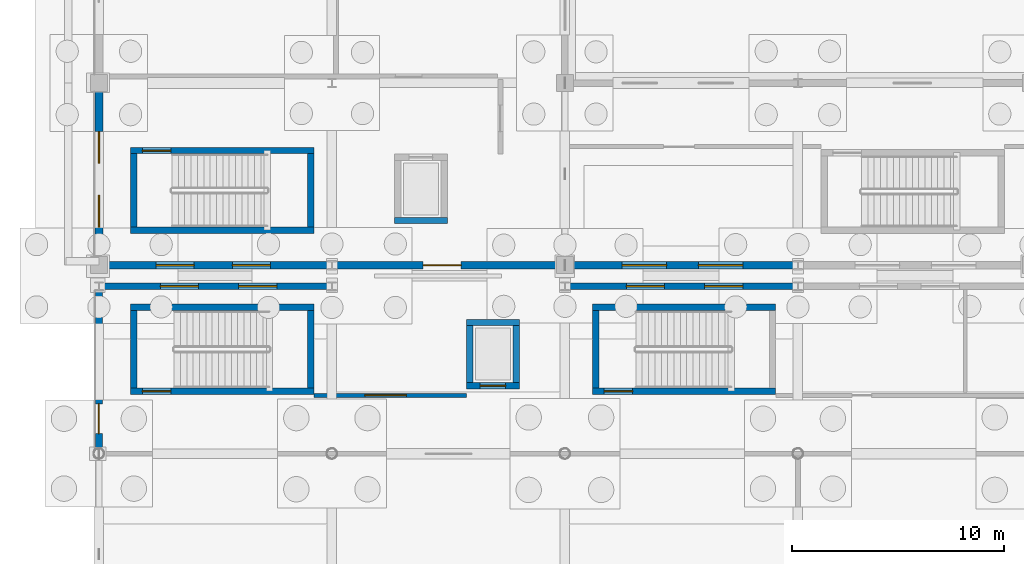
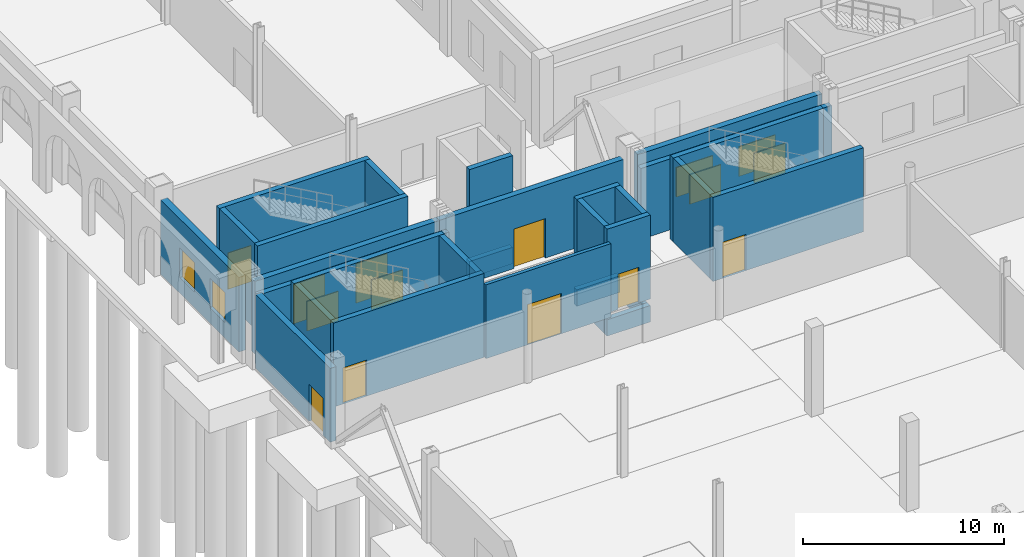
# One storey, part 53 of 83: 29 walls, 10 windows, 7 doors, 17 openings.
"""IFC4 building model written with IfcOpenShell, lengths in metres."""

import ifcopenshell
import ifcopenshell.guid

model = None  # the IFC model being written
_history = None  # IfcOwnerHistory: only IFC2X3 demands one
_inside = {}  # id of a spatial element -> (the spatial element, [elements in it])
_under = {}  # id of a project, library or spatial element -> (it, [spatial elements below it])
_declared = {}  # id of a project -> (the project, [libraries it declares])
_typed = {}  # id of a type object -> (the type object, [elements of that type])
_made_of = {}  # id of a material, layer set ... -> (it, [elements and type objects made of it])


def new_model(schema):
    """Start an empty IFC model of exactly this schema.

    Asked for "IFC4X3", IfcOpenShell would pick the latest addendum, in which some entities
    have other attributes; the version numbers below select the first issue.
    IFC2X3 requires an IfcOwnerHistory on every rooted entity: one is made here for all.
    """
    global model, _history
    if schema == "IFC4X3":
        model = ifcopenshell.file(schema_version=(4, 3, 0, 0))
    else:
        model = ifcopenshell.file(schema=schema)
    _inside.clear()
    _under.clear()
    _declared.clear()
    _typed.clear()
    _made_of.clear()
    _history = None
    if model.schema == "IFC2X3":
        org = make("IfcOrganization", Name="unknown")
        user = make(
            "IfcPersonAndOrganization",
            ThePerson=make("IfcPerson", FamilyName="unknown"),
            TheOrganization=org,
        )
        app = make(
            "IfcApplication",
            ApplicationDeveloper=org,
            Version="unknown",
            ApplicationFullName="unknown",
            ApplicationIdentifier="unknown",
        )
        _history = make(
            "IfcOwnerHistory",
            OwningUser=user,
            OwningApplication=app,
            ChangeAction="ADDED",
            CreationDate=0,
        )
    return model


def make(cls, **values):
    """One entity of the class cls with the attributes given. An attribute that is None is left unset."""
    return model.create_entity(
        cls, **{name: value for name, value in values.items() if value is not None}
    )


def rooted(cls, **values):
    """An entity with a GlobalId (a new one), such as an element, a storey or a relation."""
    return make(cls, GlobalId=ifcopenshell.guid.new(), OwnerHistory=_history, **values)


def si_unit(unit_type, name, prefix=None):
    """IfcSIUnit, for example si_unit("LENGTHUNIT", "METRE", prefix="MILLI")."""
    return make("IfcSIUnit", UnitType=unit_type, Prefix=prefix, Name=name)


def assignment(units):
    """IfcUnitAssignment: the units of a project."""
    return None if units is None else make("IfcUnitAssignment", Units=units)


def point(xyz):
    """IfcCartesianPoint."""
    return None if xyz is None else make("IfcCartesianPoint", Coordinates=xyz)


def direction(xyz):
    """IfcDirection."""
    return None if xyz is None else make("IfcDirection", DirectionRatios=xyz)


def frame(location, z_axis=None, x_axis=None):
    """IfcAxis2Placement3D, a coordinate frame: its origin and axes. An axis left out is left unset."""
    return make(
        "IfcAxis2Placement3D",
        Location=point(location),
        Axis=direction(z_axis),
        RefDirection=direction(x_axis),
    )


def frame_2d(location, x_axis=None):
    """IfcAxis2Placement2D, a coordinate frame in the plane: its origin and x axis."""
    return make(
        "IfcAxis2Placement2D", Location=point(location), RefDirection=direction(x_axis)
    )


def origin():
    """The frame at (0, 0, 0) with its axes left unset."""
    return frame((0.0, 0.0, 0.0))


def place(relative_to, where):
    """IfcLocalPlacement: puts the frame where relative to a parent placement (None: the world)."""
    return make(
        "IfcLocalPlacement", PlacementRelTo=relative_to, RelativePlacement=where
    )


def context(
    kind, dimensions, precision=None, world=None, true_north=None, identifier=None
):
    """IfcGeometricRepresentationContext, for example the 3D "Model" context."""
    return make(
        "IfcGeometricRepresentationContext",
        ContextIdentifier=identifier,
        ContextType=kind,
        CoordinateSpaceDimension=dimensions,
        Precision=precision,
        WorldCoordinateSystem=world,
        TrueNorth=true_north,
    )


def subcontext(parent, identifier, kind, view, scale=None):
    """IfcGeometricRepresentationSubContext, for example "Body" below "Model"."""
    return make(
        "IfcGeometricRepresentationSubContext",
        ContextIdentifier=identifier,
        ContextType=kind,
        ParentContext=parent,
        TargetScale=scale,
        TargetView=view,
    )


def project(units=None, contexts=None):
    """IfcProject with its units and contexts."""
    return rooted(
        "IfcProject",
        Name="project",
        RepresentationContexts=contexts,
        UnitsInContext=assignment(units),
    )


def spatial(cls, under=None, at=None, **own):
    """A site, building, storey or space (cls), placed at a placement, below another one or the project."""
    s = rooted(cls, ObjectPlacement=at, **own)
    if under is not None:
        _under.setdefault(under.id(), (under, []))[1].append(s)
    return s


def profile(cls, at=None, kind="AREA", **sizes):
    """A parametric profile (cls). Its sizes go by their IFC names, for example OverallWidth=200.0."""
    return make(cls, ProfileType=kind, Position=at, **sizes)


def rectangle(**sizes):
    """IfcRectangleProfileDef."""
    return profile("IfcRectangleProfileDef", **sizes)


def extrude(swept, where, along, depth):
    """IfcExtrudedAreaSolid: the profile swept, set in the frame where, extruded along a direction by depth."""
    return make(
        "IfcExtrudedAreaSolid",
        SweptArea=swept,
        Position=where,
        ExtrudedDirection=direction(along),
        Depth=depth,
    )


def shape(context_of_items, identifier, shape_type, items):
    """IfcShapeRepresentation: the items that make up one representation, for example the "Body"."""
    return make(
        "IfcShapeRepresentation",
        ContextOfItems=context_of_items,
        RepresentationIdentifier=identifier,
        RepresentationType=shape_type,
        Items=items,
    )


def material(Name=None, Category=None):
    """IfcMaterial."""
    return make("IfcMaterial", Name=Name, Category=Category)


def layer(
    of_material, thickness, ventilated=None, Name=None, Category=None, Priority=None
):
    """IfcMaterialLayer: one layer of a wall or slab, of a material (None: an air gap)."""
    return make(
        "IfcMaterialLayer",
        Material=of_material,
        LayerThickness=thickness,
        IsVentilated=ventilated,
        Name=Name,
        Category=Category,
        Priority=Priority,
    )


def layer_set(layers, Name=None):
    """IfcMaterialLayerSet."""
    return make("IfcMaterialLayerSet", MaterialLayers=layers, LayerSetName=Name)


def made_of(thing, what):
    """Note that an element or type object is made of a material, layer set ...; save() writes the relation."""
    if what is not None:
        _made_of.setdefault(what.id(), (what, []))[1].append(thing)
    return thing


def type_object(cls, material=None, **own):
    """A type object (cls), such as IfcWallType, which elements share."""
    return made_of(rooted(cls, **own), material)


def element(
    cls,
    number,
    at=None,
    inside=None,
    cuts=None,
    type_object=None,
    material=None,
    context=None,
    identifier="Body",
    shape_type=None,
    held_by="IfcProductDefinitionShape",
    body=None,
    shapes=None,
    **own,
):
    """One element of the class cls, such as IfcWall. Its Tag is "e" and its number.

    at: its placement. inside: the storey or other place that contains it. cuts: it is an
    opening in that element (IfcRelVoidsElement). A single representation is given by context,
    identifier, shape_type and body (its items); several are given by shapes. held_by: the class
    of the entity that holds the representations. save() writes the other relations.
    """
    e = rooted(cls, Tag="e%d" % number, ObjectPlacement=at, **own)
    if body is not None:
        shapes = [shape(context, identifier, shape_type, body)]
    if shapes is not None:
        e.Representation = make(held_by, Representations=shapes)
    if inside is not None:
        _inside.setdefault(inside.id(), (inside, []))[1].append(e)
    if cuts is not None:
        rooted(
            "IfcRelVoidsElement", RelatingBuildingElement=cuts, RelatedOpeningElement=e
        )
    if type_object is not None:
        _typed.setdefault(type_object.id(), (type_object, []))[1].append(e)
    return made_of(e, material)


def fill(opening, filler):
    """IfcRelFillsElement: the door or window that sits in an opening."""
    return rooted(
        "IfcRelFillsElement",
        RelatingOpeningElement=opening,
        RelatedBuildingElement=filler,
    )


def aggregate(whole, parts):
    """IfcRelAggregates: a whole, such as a stair, and the parts it consists of."""
    return rooted("IfcRelAggregates", RelatingObject=whole, RelatedObjects=parts)


def save(model, path):
    """Write the relations noted so far, then the file.

    IfcRelAggregates (storeys below a building ...), IfcRelContainedInSpatialStructure (elements
    in a storey), IfcRelDefinesByType, IfcRelAssociatesMaterial and IfcRelDeclares: one each for
    every whole, place, type object, material and project.
    """
    for whole, parts in _under.values():
        aggregate(whole, parts)
    for where, things in _inside.values():
        rooted(
            "IfcRelContainedInSpatialStructure",
            RelatedElements=things,
            RelatingStructure=where,
        )
    for kind, things in _typed.values():
        rooted("IfcRelDefinesByType", RelatedObjects=things, RelatingType=kind)
    for what, things in _made_of.values():
        rooted("IfcRelAssociatesMaterial", RelatedObjects=things, RelatingMaterial=what)
    for by, libraries in _declared.values():
        rooted("IfcRelDeclares", RelatingContext=by, RelatedDefinitions=libraries)
    model.write(path)


model = new_model("IFC4")

# Units and contexts
model_context = context("Model", 3, precision=1e-05, world=origin(), true_north=direction((0.0, 1.0)))
body_context = subcontext(model_context, "Body", "Model", "MODEL_VIEW")
ifc_project = project(units=[si_unit("LENGTHUNIT", "METRE"), si_unit("AREAUNIT", "SQUARE_METRE"), si_unit("VOLUMEUNIT", "CUBIC_METRE"), si_unit("PLANEANGLEUNIT", "RADIAN"), si_unit("MASSUNIT", "GRAM", prefix="KILO")], contexts=[model_context])

# Site, building, storey
site_placement = place(None, origin())
site = spatial("IfcSite", under=ifc_project, at=site_placement, CompositionType="ELEMENT")
building_placement = place(site_placement, origin())
building = spatial("IfcBuilding", under=site, at=building_placement, Name="Caurita Quay Ferry Terminal", CompositionType="ELEMENT")
storey_placement = place(building_placement, origin())
storey = spatial("IfcBuildingStorey", under=building, at=storey_placement, Name="L00", CompositionType="ELEMENT", Elevation=0.0)

# Wall
ifc_material_1 = material(Name="Reinforced concrete C35/45", Category="concrete")
ifc_layer_1 = layer(ifc_material_1, 0.300048828125, Name="Interior shear wall 300 mm")
ifc_layer_set_1 = layer_set([ifc_layer_1], Name="Reinforced concrete C35/45")
wall_type_1 = type_object("IfcWallType", Name="WL-CORE-300", PredefinedType="SHEAR", material=ifc_layer_set_1)
wall_1_placement = place(storey_placement, frame((1.5, 73.25, 0.0), z_axis=(0.0, 0.0, 1.0), x_axis=(1.0, 0.0, 0.0)))
element("IfcWall", 1, at=wall_1_placement, inside=storey, type_object=wall_type_1, Name="L00 ST-02 Core Wall South", PredefinedType="SHEAR", context=body_context, shape_type="SweptSolid", body=[
    extrude(rectangle(XDim=8.64990234375, YDim=0.300048828125, at=frame_2d((4.324951171875, 0.0))), origin(), (0.0, 0.0, 1.0), 5.179931640625),
])

# Wall, opening, door
wall_2_placement = place(storey_placement, frame((10.14990234375, 77.010009765625, 0.0), z_axis=(0.0, 0.0, 1.0), x_axis=(-1.0, 0.0, 0.0)))
wall_2 = element("IfcWall", 2, at=wall_2_placement, inside=storey, type_object=wall_type_1, Name="L00 ST-02 Core Wall North", PredefinedType="SHEAR", context=body_context, shape_type="SweptSolid", body=[
    extrude(rectangle(XDim=8.64990234375, YDim=0.300048828125, at=frame_2d((4.324951171875, 0.0))), origin(), (0.0, 0.0, 1.0), 5.179931640625),
])
opening_1_placement = place(wall_2_placement, frame((6.75, 0.0, 0.0)))
opening_1 = element("IfcOpeningElement", 3, at=opening_1_placement, cuts=wall_2, Name="Opening SD-01", PredefinedType="OPENING", context=body_context, shape_type="SweptSolid", body=[
    extrude(rectangle(XDim=1.35009765625, YDim=2.199951171875, at=frame_2d((0.675048828125, 1.10009765625))), frame((0.0, 0.159912109375, 0.0), z_axis=(0.0, -1.0, 0.0), x_axis=(1.0, 0.0, 0.0)), (0.0, 0.0, 1.0), 0.320068359375),
])
ifc_material_2 = material(Name="Anodized aluminium 6063-T6", Category="aluminium")
door_type_1 = type_object("IfcDoorType", Name="DR-ST-1200", OperationType="NOTDEFINED", PredefinedType="DOOR", material=ifc_material_2)
door_1_placement = place(opening_1_placement, frame((1.35009765625, 0.0, 0.0), z_axis=(0.0, 0.0, 1.0), x_axis=(-1.0, 0.0, 0.0)))
door_1 = element("IfcDoor", 4, at=door_1_placement, inside=storey, type_object=door_type_1, Name="L00 Exit Stair ST-02 Fire Door", OperationType="SINGLE_SWING_RIGHT", OverallHeight=2.199951171875, OverallWidth=1.35009765625, PredefinedType="DOOR", context=body_context, shape_type="SweptSolid", body=[
    extrude(rectangle(XDim=1.35009765625, YDim=2.199951171875, at=frame_2d((0.675048828125, 1.10009765625))), frame((0.0, 0.02490234375, 0.0), z_axis=(0.0, -1.0, 0.0), x_axis=(1.0, 0.0, 0.0)), (0.0, 0.0, 1.0), 0.050048828125),
])
fill(opening_1, door_1)

# Walls
for number, where, z_axis, x_axis, name in (
    (5, (1.64990234375, 76.860107421875, 0.0), (0.0, 0.0, 1.0), (0.0, -1.0, 0.0), "L00 ST-02 Core Wall West"),
    (6, (10.0, 73.39990234375, 0.0), (0.0, 0.0, 1.0), (0.0, 1.0, 0.0), "L00 ST-02 Core Wall East"),
):
    element("IfcWall", number, at=place(storey_placement, frame(where, z_axis=z_axis, x_axis=x_axis)), inside=storey, type_object=wall_type_1, Name=name, PredefinedType="SHEAR", context=body_context, shape_type="SweptSolid", body=[
        extrude(rectangle(XDim=3.460205078125, YDim=0.300048828125, at=frame_2d((1.72998046875, 0.0))), origin(), (0.0, 0.0, 1.0), 5.179931640625),
    ])

# Wall, opening, door
wall_3_placement = place(storey_placement, frame((1.5, 65.64990234375, 0.0), z_axis=(0.0, 0.0, 1.0), x_axis=(1.0, 0.0, 0.0)))
wall_3 = element("IfcWall", 7, at=wall_3_placement, inside=storey, type_object=wall_type_1, Name="L00 ST-05 Core Wall South", PredefinedType="SHEAR", context=body_context, shape_type="SweptSolid", body=[
    extrude(rectangle(XDim=8.64990234375, YDim=0.300048828125, at=frame_2d((4.324951171875, 0.0))), origin(), (0.0, 0.0, 1.0), 5.10009765625),
])
opening_2_placement = place(wall_3_placement, frame((0.550048828125, 0.0, 0.0)))
opening_2 = element("IfcOpeningElement", 8, at=opening_2_placement, cuts=wall_3, Name="Opening SD-01", PredefinedType="OPENING", context=body_context, shape_type="SweptSolid", body=[
    extrude(rectangle(XDim=1.35009765625, YDim=2.199951171875, at=frame_2d((0.675048828125, 1.10009765625))), frame((0.0, 0.159912109375, 0.0), z_axis=(0.0, -1.0, 0.0), x_axis=(1.0, 0.0, 0.0)), (0.0, 0.0, 1.0), 0.320068359375),
])
door_2_placement = place(opening_2_placement, frame((1.35009765625, 0.0, 0.0), z_axis=(0.0, 0.0, 1.0), x_axis=(-1.0, 0.0, 0.0)))
door_2 = element("IfcDoor", 9, at=door_2_placement, inside=storey, type_object=door_type_1, Name="L00 Exit Stair ST-05 Fire Door", OperationType="SINGLE_SWING_RIGHT", OverallHeight=2.199951171875, OverallWidth=1.35009765625, PredefinedType="DOOR", context=body_context, shape_type="SweptSolid", body=[
    extrude(rectangle(XDim=1.35009765625, YDim=2.199951171875, at=frame_2d((0.675048828125, 1.10009765625))), frame((0.0, 0.02490234375, 0.0), z_axis=(0.0, -1.0, 0.0), x_axis=(1.0, 0.0, 0.0)), (0.0, 0.0, 1.0), 0.050048828125),
])
fill(opening_2, door_2)

# Walls
wall_4_placement = place(storey_placement, frame((10.14990234375, 69.610107421875, 0.0), z_axis=(0.0, 0.0, 1.0), x_axis=(-1.0, 0.0, 0.0)))
element("IfcWall", 10, at=wall_4_placement, inside=storey, type_object=wall_type_1, Name="L00 ST-05 Core Wall North", PredefinedType="SHEAR", context=body_context, shape_type="SweptSolid", body=[
    extrude(rectangle(XDim=8.64990234375, YDim=0.300048828125, at=frame_2d((4.324951171875, 0.0))), origin(), (0.0, 0.0, 1.0), 5.10009765625),
])
for number, where, z_axis, x_axis, name in (
    (11, (1.64990234375, 69.4599609375, 0.0), (0.0, 0.0, 1.0), (0.0, -1.0, 0.0), "L00 ST-05 Core Wall West"),
    (12, (10.0, 65.800048828125, 0.0), (0.0, 0.0, 1.0), (0.0, 1.0, 0.0), "L00 ST-05 Core Wall East"),
):
    element("IfcWall", number, at=place(storey_placement, frame(where, z_axis=z_axis, x_axis=x_axis)), inside=storey, type_object=wall_type_1, Name=name, PredefinedType="SHEAR", context=body_context, shape_type="SweptSolid", body=[
        extrude(rectangle(XDim=3.659912109375, YDim=0.300048828125, at=frame_2d((1.830078125, 0.0))), origin(), (0.0, 0.0, 1.0), 5.10009765625),
    ])

# Wall, opening, door
wall_5_placement = place(storey_placement, frame((23.300048828125, 65.64990234375, 0.0), z_axis=(0.0, 0.0, 1.0), x_axis=(1.0, 0.0, 0.0)))
wall_5 = element("IfcWall", 13, at=wall_5_placement, inside=storey, type_object=wall_type_1, Name="L00 ST-06 Core Wall South", PredefinedType="SHEAR", context=body_context, shape_type="SweptSolid", body=[
    extrude(rectangle(XDim=8.64990234375, YDim=0.300048828125, at=frame_2d((4.324951171875, 0.0))), origin(), (0.0, 0.0, 1.0), 5.10009765625),
])
opening_3_placement = place(wall_5_placement, frame((0.550048828125, 0.0, 0.0)))
opening_3 = element("IfcOpeningElement", 14, at=opening_3_placement, cuts=wall_5, Name="Opening SD-01", PredefinedType="OPENING", context=body_context, shape_type="SweptSolid", body=[
    extrude(rectangle(XDim=1.35009765625, YDim=2.199951171875, at=frame_2d((0.675048828125, 1.10009765625))), frame((0.0, 0.159912109375, 0.0), z_axis=(0.0, -1.0, 0.0), x_axis=(1.0, 0.0, 0.0)), (0.0, 0.0, 1.0), 0.320068359375),
])
door_3_placement = place(opening_3_placement, frame((1.35009765625, 0.0, 0.0), z_axis=(0.0, 0.0, 1.0), x_axis=(-1.0, 0.0, 0.0)))
door_3 = element("IfcDoor", 15, at=door_3_placement, inside=storey, type_object=door_type_1, Name="L00 Exit Stair ST-06 Fire Door", OperationType="SINGLE_SWING_RIGHT", OverallHeight=2.199951171875, OverallWidth=1.35009765625, PredefinedType="DOOR", context=body_context, shape_type="SweptSolid", body=[
    extrude(rectangle(XDim=1.35009765625, YDim=2.199951171875, at=frame_2d((0.675048828125, 1.10009765625))), frame((0.0, 0.02490234375, 0.0), z_axis=(0.0, -1.0, 0.0), x_axis=(1.0, 0.0, 0.0)), (0.0, 0.0, 1.0), 0.050048828125),
])
fill(opening_3, door_3)

# Walls
wall_6_placement = place(storey_placement, frame((31.949951171875, 69.610107421875, 0.0), z_axis=(0.0, 0.0, 1.0), x_axis=(-1.0, 0.0, 0.0)))
element("IfcWall", 16, at=wall_6_placement, inside=storey, type_object=wall_type_1, Name="L00 ST-06 Core Wall North", PredefinedType="SHEAR", context=body_context, shape_type="SweptSolid", body=[
    extrude(rectangle(XDim=8.64990234375, YDim=0.300048828125, at=frame_2d((4.324951171875, 0.0))), origin(), (0.0, 0.0, 1.0), 5.10009765625),
])
wall_7_placement = place(storey_placement, frame((23.449951171875, 69.4599609375, 0.0), z_axis=(0.0, 0.0, 1.0), x_axis=(0.0, -1.0, 0.0)))
element("IfcWall", 17, at=wall_7_placement, inside=storey, type_object=wall_type_1, Name="L00 ST-06 Core Wall West", PredefinedType="SHEAR", context=body_context, shape_type="SweptSolid", body=[
    extrude(rectangle(XDim=3.659912109375, YDim=0.300048828125, at=frame_2d((1.830078125, 0.0))), origin(), (0.0, 0.0, 1.0), 5.10009765625),
])
wall_8_placement = place(storey_placement, frame((13.955078125, 73.705078125, -1.39990234375), z_axis=(0.0, 0.0, 1.0), x_axis=(1.0, 0.0, 0.0)))
element("IfcWall", 18, at=wall_8_placement, inside=storey, type_object=wall_type_1, Name="Lift LF-02 Pit Wall S", PredefinedType="SHEAR", context=body_context, shape_type="SweptSolid", body=[
    extrude(rectangle(XDim=2.489990234375, YDim=0.300048828125, at=frame_2d((1.2451171875, 0.0))), origin(), (0.0, 0.0, 1.0), 1.0),
])
wall_9_placement = place(storey_placement, frame((13.955078125, 73.705078125, 0.0), z_axis=(0.0, 0.0, 1.0), x_axis=(1.0, 0.0, 0.0)))
element("IfcWall", 19, at=wall_9_placement, inside=storey, type_object=wall_type_1, Name="L00 Lift LF-02 Shaft Wall South", PredefinedType="SHEAR", context=body_context, shape_type="SweptSolid", body=[
    extrude(rectangle(XDim=2.489990234375, YDim=0.300048828125, at=frame_2d((1.2451171875, 0.0))), origin(), (0.0, 0.0, 1.0), 5.179931640625),
])
for number, where, z_axis, x_axis, name in (
    (20, (17.35498046875, 65.905029296875, -1.39990234375), (0.0, 0.0, 1.0), (1.0, 0.0, 0.0), "Lift LP-01 Pit Wall S"),
    (21, (19.844970703125, 68.89501953125, -1.39990234375), (0.0, 0.0, 1.0), (-1.0, 0.0, 0.0), "Lift LP-01 Pit Wall N"),
):
    element("IfcWall", number, at=place(storey_placement, frame(where, z_axis=z_axis, x_axis=x_axis)), inside=storey, type_object=wall_type_1, Name=name, PredefinedType="SHEAR", context=body_context, shape_type="SweptSolid", body=[
        extrude(rectangle(XDim=2.489990234375, YDim=0.300048828125, at=frame_2d((1.2451171875, 0.0))), origin(), (0.0, 0.0, 1.0), 1.0),
    ])
for number, where, z_axis, x_axis, name in (
    (22, (17.5048828125, 68.7451171875, -1.39990234375), (0.0, 0.0, 1.0), (0.0, -1.0, 0.0), "Lift LP-01 Pit Wall W"),
    (23, (19.695068359375, 66.054931640625, -1.39990234375), (0.0, 0.0, 1.0), (0.0, 1.0, 0.0), "Lift LP-01 Pit Wall E"),
):
    element("IfcWall", number, at=place(storey_placement, frame(where, z_axis=z_axis, x_axis=x_axis)), inside=storey, type_object=wall_type_1, Name=name, PredefinedType="SHEAR", context=body_context, shape_type="SweptSolid", body=[
        extrude(rectangle(XDim=2.690185546875, YDim=0.300048828125, at=frame_2d((1.34521484375, 0.0))), origin(), (0.0, 0.0, 1.0), 1.0),
    ])

# Wall, opening, door
wall_10_placement = place(storey_placement, frame((17.35498046875, 65.905029296875, 0.0), z_axis=(0.0, 0.0, 1.0), x_axis=(1.0, 0.0, 0.0)))
wall_10 = element("IfcWall", 24, at=wall_10_placement, inside=storey, type_object=wall_type_1, Name="L00 Lift LP-01 Shaft Wall South", PredefinedType="SHEAR", context=body_context, shape_type="SweptSolid", body=[
    extrude(rectangle(XDim=2.489990234375, YDim=0.300048828125, at=frame_2d((1.2451171875, 0.0))), origin(), (0.0, 0.0, 1.0), 5.10009765625),
])
opening_4_placement = place(wall_10_placement, frame((0.64501953125, 0.0, 0.0)))
opening_4 = element("IfcOpeningElement", 25, at=opening_4_placement, cuts=wall_10, Name="Opening LD-02", PredefinedType="OPENING", context=body_context, shape_type="SweptSolid", body=[
    extrude(rectangle(XDim=1.199951171875, YDim=2.14990234375, at=frame_2d((0.60009765625, 1.074951171875))), frame((0.0, 0.159912109375, 0.0), z_axis=(0.0, -1.0, 0.0), x_axis=(1.0, 0.0, 0.0)), (0.0, 0.0, 1.0), 0.320068359375),
])
ifc_material_3 = material(Name="Bronze architectural metalwork", Category="metal")
door_type_2 = type_object("IfcDoorType", Name="DR-LD-02", OperationType="DOUBLE_DOOR_SLIDING", PredefinedType="DOOR", material=ifc_material_3)
door_4_placement = place(opening_4_placement, frame((1.199951171875, 0.0, 0.0), z_axis=(0.0, 0.0, 1.0), x_axis=(-1.0, 0.0, 0.0)))
door_4 = element("IfcDoor", 26, at=door_4_placement, inside=storey, type_object=door_type_2, Name="L00 Lift LP-01 Sliding Landing Door", OperationType="DOUBLE_DOOR_SLIDING", OverallHeight=2.14990234375, OverallWidth=1.199951171875, PredefinedType="DOOR", context=body_context, shape_type="SweptSolid", body=[
    extrude(rectangle(XDim=1.199951171875, YDim=2.14990234375, at=frame_2d((0.60009765625, 1.074951171875))), frame((0.0, 0.02490234375, 0.0), z_axis=(0.0, -1.0, 0.0), x_axis=(1.0, 0.0, 0.0)), (0.0, 0.0, 1.0), 0.050048828125),
])
fill(opening_4, door_4)

# Walls
wall_11_placement = place(storey_placement, frame((19.844970703125, 68.89501953125, 0.0), z_axis=(0.0, 0.0, 1.0), x_axis=(-1.0, 0.0, 0.0)))
element("IfcWall", 27, at=wall_11_placement, inside=storey, type_object=wall_type_1, Name="L00 Lift LP-01 Shaft Wall North", PredefinedType="SHEAR", context=body_context, shape_type="SweptSolid", body=[
    extrude(rectangle(XDim=2.489990234375, YDim=0.300048828125, at=frame_2d((1.2451171875, 0.0))), origin(), (0.0, 0.0, 1.0), 5.10009765625),
])
for number, where, z_axis, x_axis, name in (
    (28, (17.5048828125, 68.7451171875, 0.0), (0.0, 0.0, 1.0), (0.0, -1.0, 0.0), "L00 Lift LP-01 Shaft Wall West"),
    (29, (19.695068359375, 66.054931640625, 0.0), (0.0, 0.0, 1.0), (0.0, 1.0, 0.0), "L00 Lift LP-01 Shaft Wall East"),
):
    element("IfcWall", number, at=place(storey_placement, frame(where, z_axis=z_axis, x_axis=x_axis)), inside=storey, type_object=wall_type_1, Name=name, PredefinedType="SHEAR", context=body_context, shape_type="SweptSolid", body=[
        extrude(rectangle(XDim=2.690185546875, YDim=0.300048828125, at=frame_2d((1.34521484375, 0.0))), origin(), (0.0, 0.0, 1.0), 5.10009765625),
    ])

# Wall, opening, door
ifc_material_4 = material(Name="Warm-white lime stucco masonry", Category="masonry")
ifc_layer_2 = layer(ifc_material_4, 0.199951171875, Name="Interior partitioning wall 200 mm")
ifc_layer_set_2 = layer_set([ifc_layer_2], Name="Warm-white lime stucco masonry")
wall_type_2 = type_object("IfcWallType", Name="WL-CORR-200", PredefinedType="PARTITIONING", material=ifc_layer_set_2)
wall_12_placement = place(storey_placement, frame((10.159912109375, 65.449951171875, 0.0), z_axis=(0.0, 0.0, 1.0), x_axis=(1.0, 0.0, 0.0)))
wall_12 = element("IfcWall", 30, at=wall_12_placement, inside=storey, type_object=wall_type_2, Name="L00 Interior Partition IW-L00-004", PredefinedType="PARTITIONING", context=body_context, shape_type="SweptSolid", body=[
    extrude(rectangle(XDim=7.190185546875, YDim=0.199951171875, at=frame_2d((3.59521484375, 0.0))), origin(), (0.0, 0.0, 1.0), 4.48291015625),
])
opening_5_placement = place(wall_12_placement, frame((2.39990234375, 0.0, 0.0)))
opening_5 = element("IfcOpeningElement", 31, at=opening_5_placement, cuts=wall_12, Name="Opening ID-02", PredefinedType="OPENING", context=body_context, shape_type="SweptSolid", body=[
    extrude(rectangle(XDim=1.949951171875, YDim=2.449951171875, at=frame_2d((0.97509765625, 1.22509765625))), frame((0.0, 0.10986328125, 0.0), z_axis=(0.0, -1.0, 0.0), x_axis=(1.0, 0.0, 0.0)), (0.0, 0.0, 1.0), 0.219970703125),
])
door_type_3 = type_object("IfcDoorType", Name="DR-HALL-1950", OperationType="NOTDEFINED", PredefinedType="DOOR", material=ifc_material_2)
door_5_placement = place(opening_5_placement, frame((1.949951171875, 0.0, 0.0), z_axis=(0.0, 0.0, 1.0), x_axis=(-1.0, 0.0, 0.0)))
door_5 = element("IfcDoor", 32, at=door_5_placement, inside=storey, type_object=door_type_3, Name="L00 West Lift Lobby Door", OperationType="SINGLE_SWING_RIGHT", OverallHeight=2.449951171875, OverallWidth=1.949951171875, PredefinedType="DOOR", context=body_context, shape_type="SweptSolid", body=[
    extrude(rectangle(XDim=1.949951171875, YDim=2.449951171875, at=frame_2d((0.97509765625, 1.22509765625))), frame((0.0, 0.02490234375, 0.0), z_axis=(0.0, -1.0, 0.0), x_axis=(1.0, 0.0, 0.0)), (0.0, 0.0, 1.0), 0.050048828125),
])
fill(opening_5, door_5)

# Wall, openings, windows
ifc_layer_3 = layer(ifc_material_4, 0.31005859375, Name="Exterior solidwall wall 310 mm")
ifc_layer_set_3 = layer_set([ifc_layer_3], Name="Warm-white lime stucco masonry")
wall_type_3 = type_object("IfcWallType", Name="WL-EXT-310", PredefinedType="SOLIDWALL", material=ifc_layer_set_3)
wall_13_placement = place(storey_placement, frame((10.99072265625, 70.60009765625, 0.0), z_axis=(0.0, 0.0, 1.0), x_axis=(-1.0, 0.0, 0.0)))
wall_13 = element("IfcWall", 33, at=wall_13_placement, inside=storey, type_object=wall_type_3, Name="L00 Exterior Wall EW-L00-170", PredefinedType="SOLIDWALL", context=body_context, shape_type="SweptSolid", body=[
    extrude(rectangle(XDim=10.9814453125, YDim=0.31005859375, at=frame_2d((5.49072265625, 0.0))), origin(), (0.0, 0.0, 1.0), 4.315185546875),
])
opening_6_placement = place(wall_13_placement, frame((2.5908203125, 0.0, 1.050048828125)))
opening_6 = element("IfcOpeningElement", 34, at=opening_6_placement, cuts=wall_13, Name="Opening W-09", PredefinedType="OPENING", context=body_context, shape_type="SweptSolid", body=[
    extrude(rectangle(XDim=1.800048828125, YDim=1.800048828125, at=frame_2d((0.89990234375, 0.89990234375))), frame((0.0, 0.1650390625, 0.0), z_axis=(0.0, -1.0, 0.0), x_axis=(1.0, 0.0, 0.0)), (0.0, 0.0, 1.0), 0.330078125),
])
opening_7_placement = place(wall_13_placement, frame((6.290771484375, 0.0, 1.050048828125)))
opening_7 = element("IfcOpeningElement", 35, at=opening_7_placement, cuts=wall_13, Name="Opening W-09", PredefinedType="OPENING", context=body_context, shape_type="SweptSolid", body=[
    extrude(rectangle(XDim=1.800048828125, YDim=1.800048828125, at=frame_2d((0.89990234375, 0.89990234375))), frame((0.0, 0.1650390625, 0.0), z_axis=(0.0, -1.0, 0.0), x_axis=(1.0, 0.0, 0.0)), (0.0, 0.0, 1.0), 0.330078125),
])
ifc_material_5 = material(Name="Laminated solar-control insulated glass", Category="glass")
window_type_1 = type_object("IfcWindowType", Name="WIN-SC-1818", PartitioningType="SINGLE_PANEL", PredefinedType="WINDOW", material=ifc_material_5)
window_1_placement = place(opening_6_placement, origin())
window_1 = element("IfcWindow", 36, at=window_1_placement, inside=storey, type_object=window_type_1, Name="L00 Casement Window WN-L00-251", OverallHeight=1.800048828125, OverallWidth=1.800048828125, PartitioningType="SINGLE_PANEL", PredefinedType="WINDOW", context=body_context, shape_type="SweptSolid", body=[
    extrude(rectangle(XDim=1.800048828125, YDim=1.800048828125, at=frame_2d((0.89990234375, 0.89990234375))), frame((0.0, 0.030029296875, 0.0), z_axis=(0.0, -1.0, 0.0), x_axis=(1.0, 0.0, 0.0)), (0.0, 0.0, 1.0), 0.06005859375),
])
fill(opening_6, window_1)
window_2_placement = place(opening_7_placement, origin())
window_2 = element("IfcWindow", 37, at=window_2_placement, inside=storey, type_object=window_type_1, Name="L00 Casement Window WN-L00-252", OverallHeight=1.800048828125, OverallWidth=1.800048828125, PartitioningType="SINGLE_PANEL", PredefinedType="WINDOW", context=body_context, shape_type="SweptSolid", body=[
    extrude(rectangle(XDim=1.800048828125, YDim=1.800048828125, at=frame_2d((0.89990234375, 0.89990234375))), frame((0.0, 0.030029296875, 0.0), z_axis=(0.0, -1.0, 0.0), x_axis=(1.0, 0.0, 0.0)), (0.0, 0.0, 1.0), 0.06005859375),
])
fill(opening_7, window_2)

wall_14_placement = place(storey_placement, frame((32.99072265625, 70.60009765625, 0.0), z_axis=(0.0, 0.0, 1.0), x_axis=(-1.0, 0.0, 0.0)))
wall_14 = element("IfcWall", 38, at=wall_14_placement, inside=storey, type_object=wall_type_3, Name="L00 Exterior Wall EW-L00-171", PredefinedType="SOLIDWALL", context=body_context, shape_type="SweptSolid", body=[
    extrude(rectangle(XDim=10.9814453125, YDim=0.31005859375, at=frame_2d((5.49072265625, 0.0))), origin(), (0.0, 0.0, 1.0), 4.315185546875),
])
opening_8_placement = place(wall_14_placement, frame((2.5908203125, 0.0, 1.050048828125)))
opening_8 = element("IfcOpeningElement", 39, at=opening_8_placement, cuts=wall_14, Name="Opening W-09", PredefinedType="OPENING", context=body_context, shape_type="SweptSolid", body=[
    extrude(rectangle(XDim=1.800048828125, YDim=1.800048828125, at=frame_2d((0.89990234375, 0.89990234375))), frame((0.0, 0.1650390625, 0.0), z_axis=(0.0, -1.0, 0.0), x_axis=(1.0, 0.0, 0.0)), (0.0, 0.0, 1.0), 0.330078125),
])
opening_9_placement = place(wall_14_placement, frame((6.290771484375, 0.0, 1.050048828125)))
opening_9 = element("IfcOpeningElement", 40, at=opening_9_placement, cuts=wall_14, Name="Opening W-09", PredefinedType="OPENING", context=body_context, shape_type="SweptSolid", body=[
    extrude(rectangle(XDim=1.800048828125, YDim=1.800048828125, at=frame_2d((0.89990234375, 0.89990234375))), frame((0.0, 0.1650390625, 0.0), z_axis=(0.0, -1.0, 0.0), x_axis=(1.0, 0.0, 0.0)), (0.0, 0.0, 1.0), 0.330078125),
])
window_3_placement = place(opening_8_placement, origin())
window_3 = element("IfcWindow", 41, at=window_3_placement, inside=storey, type_object=window_type_1, Name="L00 Casement Window WN-L00-253", OverallHeight=1.800048828125, OverallWidth=1.800048828125, PartitioningType="SINGLE_PANEL", PredefinedType="WINDOW", context=body_context, shape_type="SweptSolid", body=[
    extrude(rectangle(XDim=1.800048828125, YDim=1.800048828125, at=frame_2d((0.89990234375, 0.89990234375))), frame((0.0, 0.030029296875, 0.0), z_axis=(0.0, -1.0, 0.0), x_axis=(1.0, 0.0, 0.0)), (0.0, 0.0, 1.0), 0.06005859375),
])
fill(opening_8, window_3)
window_4_placement = place(opening_9_placement, origin())
window_4 = element("IfcWindow", 42, at=window_4_placement, inside=storey, type_object=window_type_1, Name="L00 Casement Window WN-L00-254", OverallHeight=1.800048828125, OverallWidth=1.800048828125, PartitioningType="SINGLE_PANEL", PredefinedType="WINDOW", context=body_context, shape_type="SweptSolid", body=[
    extrude(rectangle(XDim=1.800048828125, YDim=1.800048828125, at=frame_2d((0.89990234375, 0.89990234375))), frame((0.0, 0.030029296875, 0.0), z_axis=(0.0, -1.0, 0.0), x_axis=(1.0, 0.0, 0.0)), (0.0, 0.0, 1.0), 0.06005859375),
])
fill(opening_9, window_4)

ifc_layer_4 = layer(ifc_material_4, 0.340087890625, Name="Exterior solidwall wall 340 mm")
ifc_layer_set_4 = layer_set([ifc_layer_4], Name="Warm-white lime stucco masonry")
wall_type_4 = type_object("IfcWallType", Name="WL-EXT-340", PredefinedType="SOLIDWALL", material=ifc_layer_set_4)
wall_15_placement = place(storey_placement, frame((0.39794921875, 71.60009765625, 0.0), z_axis=(0.0, 0.0, 1.0), x_axis=(1.0, 0.0, 0.0)))
wall_15 = element("IfcWall", 43, at=wall_15_placement, inside=storey, type_object=wall_type_4, Name="L00 Exterior Wall EW-L00-053", PredefinedType="SOLIDWALL", context=body_context, shape_type="SweptSolid", body=[
    extrude(rectangle(XDim=10.586181640625, YDim=0.340087890625, at=frame_2d((5.29296875, 0.0))), origin(), (0.0, 0.0, 1.0), 4.425048828125),
])
opening_10_placement = place(wall_15_placement, frame((2.302001953125, 0.0, 0.949951171875)))
opening_10 = element("IfcOpeningElement", 44, at=opening_10_placement, cuts=wall_15, Name="Opening W-10", PredefinedType="OPENING", context=body_context, shape_type="SweptSolid", body=[
    extrude(rectangle(XDim=1.800048828125, YDim=2.39990234375, at=frame_2d((0.89990234375, 1.199951171875))), frame((0.0, 0.179931640625, 0.0), z_axis=(0.0, -1.0, 0.0), x_axis=(1.0, 0.0, 0.0)), (0.0, 0.0, 1.0), 0.360107421875),
])
opening_11_placement = place(wall_15_placement, frame((5.902099609375, 0.0, 0.949951171875)))
opening_11 = element("IfcOpeningElement", 45, at=opening_11_placement, cuts=wall_15, Name="Opening W-10", PredefinedType="OPENING", context=body_context, shape_type="SweptSolid", body=[
    extrude(rectangle(XDim=1.800048828125, YDim=2.39990234375, at=frame_2d((0.89990234375, 1.199951171875))), frame((0.0, 0.179931640625, 0.0), z_axis=(0.0, -1.0, 0.0), x_axis=(1.0, 0.0, 0.0)), (0.0, 0.0, 1.0), 0.360107421875),
])
window_type_2 = type_object("IfcWindowType", Name="WIN-SC-1824", PartitioningType="SINGLE_PANEL", PredefinedType="WINDOW", material=ifc_material_5)
window_5_placement = place(opening_10_placement, origin())
window_5 = element("IfcWindow", 46, at=window_5_placement, inside=storey, type_object=window_type_2, Name="L00 Casement Window WN-L00-079", OverallHeight=2.39990234375, OverallWidth=1.800048828125, PartitioningType="SINGLE_PANEL", PredefinedType="WINDOW", context=body_context, shape_type="SweptSolid", body=[
    extrude(rectangle(XDim=1.800048828125, YDim=2.39990234375, at=frame_2d((0.89990234375, 1.199951171875))), frame((0.0, 0.030029296875, 0.0), z_axis=(0.0, -1.0, 0.0), x_axis=(1.0, 0.0, 0.0)), (0.0, 0.0, 1.0), 0.06005859375),
])
fill(opening_10, window_5)
window_6_placement = place(opening_11_placement, origin())
window_6 = element("IfcWindow", 47, at=window_6_placement, inside=storey, type_object=window_type_2, Name="L00 Casement Window WN-L00-080", OverallHeight=2.39990234375, OverallWidth=1.800048828125, PartitioningType="SINGLE_PANEL", PredefinedType="WINDOW", context=body_context, shape_type="SweptSolid", body=[
    extrude(rectangle(XDim=1.800048828125, YDim=2.39990234375, at=frame_2d((0.89990234375, 1.199951171875))), frame((0.0, 0.030029296875, 0.0), z_axis=(0.0, -1.0, 0.0), x_axis=(1.0, 0.0, 0.0)), (0.0, 0.0, 1.0), 0.06005859375),
])
fill(opening_11, window_6)

# Wall, opening, door
wall_16_placement = place(storey_placement, frame((11.015869140625, 71.60009765625, 0.0), z_axis=(0.0, 0.0, 1.0), x_axis=(1.0, 0.0, 0.0)))
wall_16 = element("IfcWall", 48, at=wall_16_placement, inside=storey, type_object=wall_type_4, Name="L00 Exterior Wall EW-L00-054", PredefinedType="SOLIDWALL", context=body_context, shape_type="SweptSolid", body=[
    extrude(rectangle(XDim=10.586181640625, YDim=0.340087890625, at=frame_2d((5.29296875, 0.0))), origin(), (0.0, 0.0, 1.0), 4.425048828125),
])
opening_12_placement = place(wall_16_placement, frame((4.2841796875, 0.0, 0.0)))
opening_12 = element("IfcOpeningElement", 49, at=opening_12_placement, cuts=wall_16, Name="Opening ED-03", PredefinedType="OPENING", context=body_context, shape_type="SweptSolid", body=[
    extrude(rectangle(XDim=1.800048828125, YDim=2.39990234375, at=frame_2d((0.89990234375, 1.199951171875))), frame((0.0, 0.179931640625, 0.0), z_axis=(0.0, -1.0, 0.0), x_axis=(1.0, 0.0, 0.0)), (0.0, 0.0, 1.0), 0.360107421875),
])
door_type_4 = type_object("IfcDoorType", Name="DR-EXT-1824", OperationType="NOTDEFINED", PredefinedType="DOOR", material=ifc_material_2)
door_6_placement = place(opening_12_placement, frame((1.800048828125, 0.0, 0.0), z_axis=(0.0, 0.0, 1.0), x_axis=(-1.0, 0.0, 0.0)))
door_6 = element("IfcDoor", 50, at=door_6_placement, inside=storey, type_object=door_type_4, Name="L00 Seismic Link Door SJ4-W", OperationType="SINGLE_SWING_RIGHT", OverallHeight=2.39990234375, OverallWidth=1.800048828125, PredefinedType="DOOR", context=body_context, shape_type="SweptSolid", body=[
    extrude(rectangle(XDim=1.800048828125, YDim=2.39990234375, at=frame_2d((0.89990234375, 1.199951171875))), frame((0.0, 0.02490234375, 0.0), z_axis=(0.0, -1.0, 0.0), x_axis=(1.0, 0.0, 0.0)), (0.0, 0.0, 1.0), 0.050048828125),
])
fill(opening_12, door_6)

# Wall, openings, windows
wall_17_placement = place(storey_placement, frame((22.39794921875, 71.60009765625, 0.0), z_axis=(0.0, 0.0, 1.0), x_axis=(1.0, 0.0, 0.0)))
wall_17 = element("IfcWall", 51, at=wall_17_placement, inside=storey, type_object=wall_type_4, Name="L00 Exterior Wall EW-L00-055", PredefinedType="SOLIDWALL", context=body_context, shape_type="SweptSolid", body=[
    extrude(rectangle(XDim=10.586181640625, YDim=0.340087890625, at=frame_2d((5.29296875, 0.0))), origin(), (0.0, 0.0, 1.0), 4.425048828125),
])
opening_13_placement = place(wall_17_placement, frame((2.302001953125, 0.0, 0.949951171875)))
opening_13 = element("IfcOpeningElement", 52, at=opening_13_placement, cuts=wall_17, Name="Opening W-11", PredefinedType="OPENING", context=body_context, shape_type="SweptSolid", body=[
    extrude(rectangle(XDim=2.10009765625, YDim=1.800048828125, at=frame_2d((1.050048828125, 0.89990234375))), frame((0.0, 0.179931640625, 0.0), z_axis=(0.0, -1.0, 0.0), x_axis=(1.0, 0.0, 0.0)), (0.0, 0.0, 1.0), 0.360107421875),
])
opening_14_placement = place(wall_17_placement, frame((5.902099609375, 0.0, 0.949951171875)))
opening_14 = element("IfcOpeningElement", 53, at=opening_14_placement, cuts=wall_17, Name="Opening W-11", PredefinedType="OPENING", context=body_context, shape_type="SweptSolid", body=[
    extrude(rectangle(XDim=2.10009765625, YDim=1.800048828125, at=frame_2d((1.050048828125, 0.89990234375))), frame((0.0, 0.179931640625, 0.0), z_axis=(0.0, -1.0, 0.0), x_axis=(1.0, 0.0, 0.0)), (0.0, 0.0, 1.0), 0.360107421875),
])
window_type_3 = type_object("IfcWindowType", Name="WIN-SC-2118", PartitioningType="SINGLE_PANEL", PredefinedType="WINDOW", material=ifc_material_5)
window_7_placement = place(opening_13_placement, origin())
window_7 = element("IfcWindow", 54, at=window_7_placement, inside=storey, type_object=window_type_3, Name="L00 Casement Window WN-L00-081", OverallHeight=1.800048828125, OverallWidth=2.10009765625, PartitioningType="SINGLE_PANEL", PredefinedType="WINDOW", context=body_context, shape_type="SweptSolid", body=[
    extrude(rectangle(XDim=2.10009765625, YDim=1.800048828125, at=frame_2d((1.050048828125, 0.89990234375))), frame((0.0, 0.030029296875, 0.0), z_axis=(0.0, -1.0, 0.0), x_axis=(1.0, 0.0, 0.0)), (0.0, 0.0, 1.0), 0.06005859375),
])
fill(opening_13, window_7)
window_8_placement = place(opening_14_placement, origin())
window_8 = element("IfcWindow", 55, at=window_8_placement, inside=storey, type_object=window_type_3, Name="L00 Casement Window WN-L00-082", OverallHeight=1.800048828125, OverallWidth=2.10009765625, PartitioningType="SINGLE_PANEL", PredefinedType="WINDOW", context=body_context, shape_type="SweptSolid", body=[
    extrude(rectangle(XDim=2.10009765625, YDim=1.800048828125, at=frame_2d((1.050048828125, 0.89990234375))), frame((0.0, 0.030029296875, 0.0), z_axis=(0.0, -1.0, 0.0), x_axis=(1.0, 0.0, 0.0)), (0.0, 0.0, 1.0), 0.06005859375),
])
fill(opening_14, window_8)

# Wall, opening, door
wall_18_placement = place(storey_placement, frame((0.0, 70.405029296875, 0.0), z_axis=(0.0, 0.0, 1.0), x_axis=(0.0, -1.0, 0.0)))
wall_18 = element("IfcWall", 56, at=wall_18_placement, inside=storey, type_object=wall_type_4, Name="L00 Exterior Wall EW-L00-162", PredefinedType="SOLIDWALL", context=body_context, shape_type="SweptSolid", body=[
    extrude(rectangle(XDim=7.458984375, YDim=0.340087890625, at=frame_2d((3.7294921875, 0.0))), origin(), (0.0, 0.0, 1.0), 4.48291015625),
])
opening_15_placement = place(wall_18_placement, frame((5.355224609375, 0.0, 0.0)))
opening_15 = element("IfcOpeningElement", 57, at=opening_15_placement, cuts=wall_18, Name="Opening ED-05", PredefinedType="OPENING", context=body_context, shape_type="SweptSolid", body=[
    extrude(rectangle(XDim=1.39990234375, YDim=2.25, at=frame_2d((0.699951171875, 1.125))), frame((0.0, 0.179931640625, 0.0), z_axis=(0.0, -1.0, 0.0), x_axis=(1.0, 0.0, 0.0)), (0.0, 0.0, 1.0), 0.360107421875),
])
ifc_material_6 = material(Name="Tropical mahogany hardwood", Category="wood")
door_type_5 = type_object("IfcDoorType", Name="DR-EXT-1422", OperationType="NOTDEFINED", PredefinedType="DOOR", material=ifc_material_6)
door_7_placement = place(opening_15_placement, frame((1.39990234375, 0.0, 0.0), z_axis=(0.0, 0.0, 1.0), x_axis=(-1.0, 0.0, 0.0)))
door_7 = element("IfcDoor", 58, at=door_7_placement, inside=storey, type_object=door_type_5, Name="Departure Core West Final Exit Door ED-DCW", OperationType="SINGLE_SWING_LEFT", OverallHeight=2.25, OverallWidth=1.39990234375, PredefinedType="DOOR", context=body_context, shape_type="SweptSolid", body=[
    extrude(rectangle(XDim=1.39990234375, YDim=2.25, at=frame_2d((0.699951171875, 1.125))), frame((0.0, 0.02490234375, 0.0), z_axis=(0.0, -1.0, 0.0), x_axis=(1.0, 0.0, 0.0)), (0.0, 0.0, 1.0), 0.050048828125),
])
fill(opening_15, door_7)

# Wall, openings, windows
ifc_material_7 = material(Name="Coral stone ashlar cladding", Category="masonry")
ifc_layer_5 = layer(ifc_material_7, 0.3798828125, Name="Exterior solidwall wall 380 mm")
ifc_layer_set_5 = layer_set([ifc_layer_5], Name="Coral stone ashlar cladding")
wall_type_5 = type_object("IfcWallType", Name="WL-EXT-380", PredefinedType="SOLIDWALL", material=ifc_layer_set_5)
wall_19_placement = place(storey_placement, frame((0.0, 79.802001953125, 0.0), z_axis=(0.0, 0.0, 1.0), x_axis=(0.0, -1.0, 0.0)))
wall_19 = element("IfcWall", 59, at=wall_19_placement, inside=storey, type_object=wall_type_5, Name="L00 Exterior Wall EW-L00-032", PredefinedType="SOLIDWALL", context=body_context, shape_type="SweptSolid", body=[
    extrude(rectangle(XDim=7.803955078125, YDim=0.3798828125, at=frame_2d((3.90185546875, 0.0))), origin(), (0.0, 0.0, 1.0), 4.52490234375),
])
opening_16_placement = place(wall_19_placement, frame((1.902099609375, 0.0, 0.949951171875)))
opening_16 = element("IfcOpeningElement", 60, at=opening_16_placement, cuts=wall_19, Name="Opening W-06", PredefinedType="OPENING", context=body_context, shape_type="SweptSolid", body=[
    extrude(rectangle(XDim=1.5, YDim=1.800048828125, at=frame_2d((0.75, 0.89990234375))), frame((0.0, 0.199951171875, 0.0), z_axis=(0.0, -1.0, 0.0), x_axis=(1.0, 0.0, 0.0)), (0.0, 0.0, 1.0), 0.39990234375),
])
opening_17_placement = place(wall_19_placement, frame((4.902099609375, 0.0, 0.949951171875)))
opening_17 = element("IfcOpeningElement", 61, at=opening_17_placement, cuts=wall_19, Name="Opening W-06", PredefinedType="OPENING", context=body_context, shape_type="SweptSolid", body=[
    extrude(rectangle(XDim=1.5, YDim=1.800048828125, at=frame_2d((0.75, 0.89990234375))), frame((0.0, 0.199951171875, 0.0), z_axis=(0.0, -1.0, 0.0), x_axis=(1.0, 0.0, 0.0)), (0.0, 0.0, 1.0), 0.39990234375),
])
window_type_4 = type_object("IfcWindowType", Name="WIN-SC-1518", PartitioningType="SINGLE_PANEL", PredefinedType="WINDOW", material=ifc_material_5)
window_9_placement = place(opening_16_placement, origin())
window_9 = element("IfcWindow", 62, at=window_9_placement, inside=storey, type_object=window_type_4, Name="L00 Casement Window WN-L00-047", OverallHeight=1.800048828125, OverallWidth=1.5, PartitioningType="SINGLE_PANEL", PredefinedType="WINDOW", context=body_context, shape_type="SweptSolid", body=[
    extrude(rectangle(XDim=1.5, YDim=1.800048828125, at=frame_2d((0.75, 0.89990234375))), frame((0.0, 0.030029296875, 0.0), z_axis=(0.0, -1.0, 0.0), x_axis=(1.0, 0.0, 0.0)), (0.0, 0.0, 1.0), 0.06005859375),
])
fill(opening_16, window_9)
window_10_placement = place(opening_17_placement, origin())
window_10 = element("IfcWindow", 63, at=window_10_placement, inside=storey, type_object=window_type_4, Name="L00 Casement Window WN-L00-048", OverallHeight=1.800048828125, OverallWidth=1.5, PartitioningType="SINGLE_PANEL", PredefinedType="WINDOW", context=body_context, shape_type="SweptSolid", body=[
    extrude(rectangle(XDim=1.5, YDim=1.800048828125, at=frame_2d((0.75, 0.89990234375))), frame((0.0, 0.030029296875, 0.0), z_axis=(0.0, -1.0, 0.0), x_axis=(1.0, 0.0, 0.0)), (0.0, 0.0, 1.0), 0.06005859375),
])
fill(opening_17, window_10)

save(model, "model.ifc")
